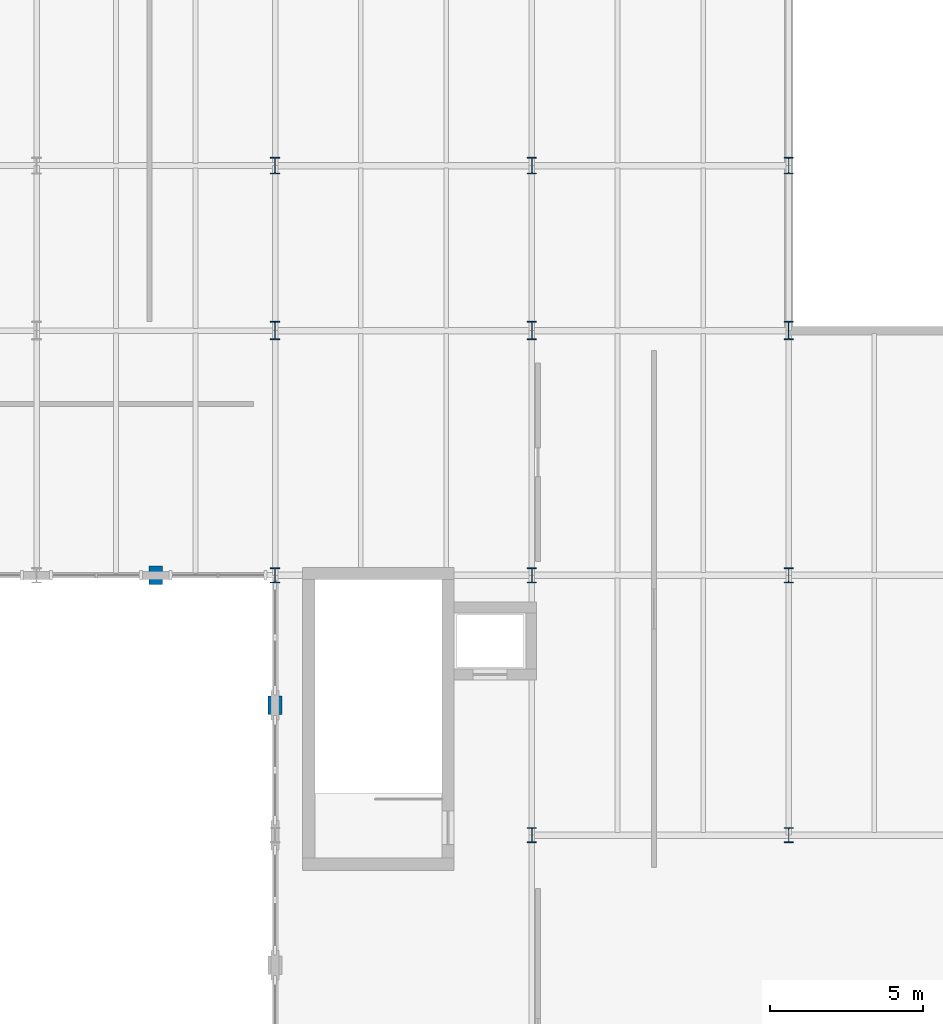
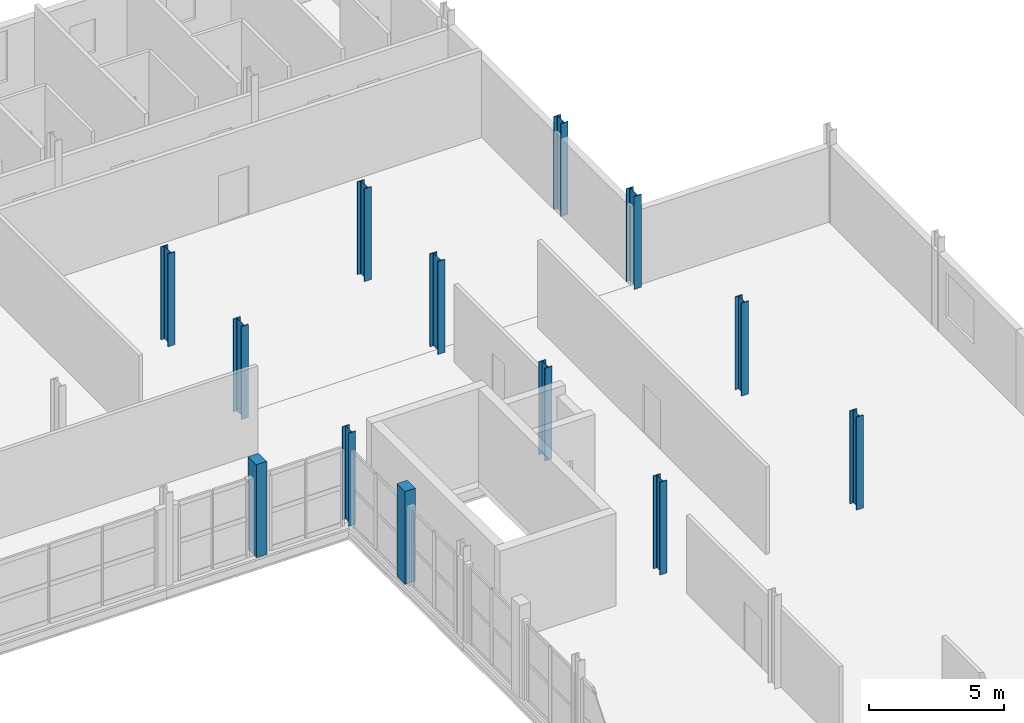
# One storey, part 7 of 45: 13 columns.
"""IFC4 building model written with IfcOpenShell, lengths in metres."""

from ifc_helpers import new_model, si_unit, direction, frame, origin, origin_2d, place, context, subcontext, project, spatial, rectangle, i_section, extrude, material, material_profile, profile_set, type_object, element, save


model = new_model("IFC4")

# Units and contexts
model_context = context("Model", 3, precision=1e-05, world=origin(), true_north=direction((0.0, 1.0)))
body_context = subcontext(model_context, "Body", "Model", "MODEL_VIEW")
ifc_project = project(units=[si_unit("LENGTHUNIT", "METRE"), si_unit("AREAUNIT", "SQUARE_METRE"), si_unit("VOLUMEUNIT", "CUBIC_METRE"), si_unit("PLANEANGLEUNIT", "RADIAN"), si_unit("MASSUNIT", "GRAM", prefix="KILO")], contexts=[model_context])

# Site, building, storey
site_placement = place(None, origin())
site = spatial("IfcSite", under=ifc_project, at=site_placement, CompositionType="ELEMENT")
building_placement = place(site_placement, origin())
building = spatial("IfcBuilding", under=site, at=building_placement, Name="Sefraquen Railside Congress Hotel", CompositionType="ELEMENT")
storey_placement = place(building_placement, frame((0.0, 0.0, 20.39990234375)))
storey = spatial("IfcBuildingStorey", under=building, at=storey_placement, Name="L04", CompositionType="ELEMENT", Elevation=20.39990234375)

# Columns
ifc_material_1 = material(Name="Steel S355JR", Category="steel")
ifc_material_profile_1 = material_profile(ifc_material_1, i_section(OverallWidth=0.300048828125, OverallDepth=0.5, WebThickness=0.014404296875, FlangeThickness=0.028076171875, FilletRadius=0.027099609375, at=origin_2d()), Name="HEB 500")
ifc_profile_set_1 = profile_set([ifc_material_profile_1], Name="Steel S355JR")
column_type_1 = type_object("IfcColumnType", Name="TC-HEB-500", PredefinedType="COLUMN", material=ifc_profile_set_1)
for number, where, z_axis, x_axis, name in (
    (1, (103.199951171875, 88.0, 0.0), (0.0, 0.0, 1.0), (1.0, 0.0, 0.0), "Structural column 14-L L04"),
    (2, (111.60009765625, 79.5, 0.0), (0.0, 0.0, 1.0), (1.0, 0.0, 0.0), "Structural column 15-K L04"),
    (3, (111.60009765625, 88.0, 0.0), (0.0, 0.0, 1.0), (1.0, 0.0, 0.0), "Structural column 15-L L04"),
    (4, (120.0, 79.5, 0.0), (0.0, 0.0, 1.0), (1.0, 0.0, 0.0), "Structural column 16-K L04"),
    (5, (120.0, 88.0, 0.0), (0.0, 0.0, 1.0), (1.0, 0.0, 0.0), "Structural column 16-L L04"),
):
    element("IfcColumn", number, at=place(storey_placement, frame(where, z_axis=z_axis, x_axis=x_axis)), inside=storey, type_object=column_type_1, Name=name, PredefinedType="COLUMN", context=body_context, shape_type="SweptSolid", body=[
        extrude(i_section(OverallWidth=0.300048828125, OverallDepth=0.5, WebThickness=0.014404296875, FlangeThickness=0.028076171875, FilletRadius=0.027099609375, at=origin_2d()), origin(), (0.0, 0.0, 1.0), 4.2001953125),
    ])
ifc_material_profile_2 = material_profile(ifc_material_1, i_section(OverallWidth=0.300048828125, OverallDepth=0.550048828125, WebThickness=0.014892578125, FlangeThickness=0.029052734375, FilletRadius=0.027099609375, at=origin_2d()), Name="HEB 550")
ifc_profile_set_2 = profile_set([ifc_material_profile_2], Name="Steel S355JR")
column_type_2 = type_object("IfcColumnType", Name="TC-HEB-550", PredefinedType="COLUMN", material=ifc_profile_set_2)
for number, where, z_axis, x_axis, name in (
    (6, (103.199951171875, 101.39990234375, 0.0), (0.0, 0.0, 1.0), (1.0, 0.0, 0.0), "Structural column 14-N L04"),
    (7, (111.60009765625, 101.39990234375, 0.0), (0.0, 0.0, 1.0), (1.0, 0.0, 0.0), "Structural column 15-N L04"),
    (8, (120.0, 101.39990234375, 0.0), (0.0, 0.0, 1.0), (1.0, 0.0, 0.0), "Structural column 16-N L04"),
):
    element("IfcColumn", number, at=place(storey_placement, frame(where, z_axis=z_axis, x_axis=x_axis)), inside=storey, type_object=column_type_2, Name=name, PredefinedType="COLUMN", context=body_context, shape_type="SweptSolid", body=[
        extrude(i_section(OverallWidth=0.300048828125, OverallDepth=0.550048828125, WebThickness=0.014892578125, FlangeThickness=0.029052734375, FilletRadius=0.027099609375, at=origin_2d()), origin(), (0.0, 0.0, 1.0), 4.2001953125),
    ])
ifc_material_profile_3 = material_profile(ifc_material_1, i_section(OverallWidth=0.300048828125, OverallDepth=0.60009765625, WebThickness=0.015380859375, FlangeThickness=0.030029296875, FilletRadius=0.027099609375, at=origin_2d()), Name="HEB 600")
ifc_profile_set_3 = profile_set([ifc_material_profile_3], Name="Steel S355JR")
column_type_3 = type_object("IfcColumnType", Name="TC-HEB-600", PredefinedType="COLUMN", material=ifc_profile_set_3)
for number, where, z_axis, x_axis, name in (
    (9, (103.199951171875, 96.0, 0.0), (0.0, 0.0, 1.0), (1.0, 0.0, 0.0), "Structural column 14-M L04"),
    (10, (111.60009765625, 96.0, 0.0), (0.0, 0.0, 1.0), (1.0, 0.0, 0.0), "Structural column 15-M L04"),
    (11, (120.0, 96.0, 0.0), (0.0, 0.0, 1.0), (1.0, 0.0, 0.0), "Structural column 16-M L04"),
):
    element("IfcColumn", number, at=place(storey_placement, frame(where, z_axis=z_axis, x_axis=x_axis)), inside=storey, type_object=column_type_3, Name=name, PredefinedType="COLUMN", context=body_context, shape_type="SweptSolid", body=[
        extrude(i_section(OverallWidth=0.300048828125, OverallDepth=0.60009765625, WebThickness=0.015380859375, FlangeThickness=0.030029296875, FilletRadius=0.027099609375, at=origin_2d()), origin(), (0.0, 0.0, 1.0), 4.2001953125),
    ])
ifc_material_2 = material(Name="Concrete C50/60", Category="concrete")
ifc_material_profile_4 = material_profile(ifc_material_2, rectangle(XDim=0.449951171875, YDim=0.60009765625, at=origin_2d()), Name="RC 600x450")
ifc_profile_set_4 = profile_set([ifc_material_profile_4], Name="Concrete C50/60")
column_type_4 = type_object("IfcColumnType", Name="TC-PIL-600", PredefinedType="PILASTER", material=ifc_profile_set_4)
for number, where, z_axis, x_axis, name in (
    (12, (103.199951171875, 83.75, 0.0), (0.0, 0.0, 1.0), (1.0, 0.0, 0.0), "Courtyard limestone pilaster CPIL-E4 L04"),
    (13, (99.300048828125, 88.0, 0.0), (0.0, 0.0, 1.0), (1.0, 0.0, 0.0), "Courtyard limestone pilaster CPIL-N3 L04"),
):
    element("IfcColumn", number, at=place(storey_placement, frame(where, z_axis=z_axis, x_axis=x_axis)), inside=storey, type_object=column_type_4, Name=name, PredefinedType="PILASTER", context=body_context, shape_type="SweptSolid", body=[
        extrude(rectangle(XDim=0.449951171875, YDim=0.60009765625, at=origin_2d()), origin(), (0.0, 0.0, 1.0), 4.2001953125),
    ])

save(model, "model.ifc")
